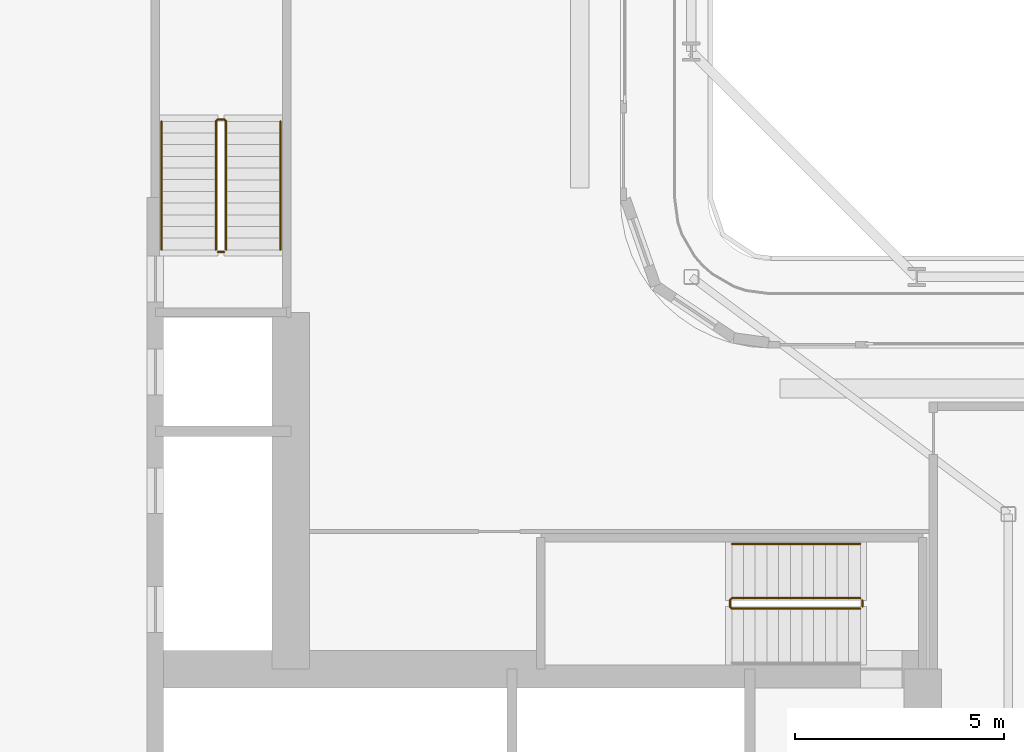
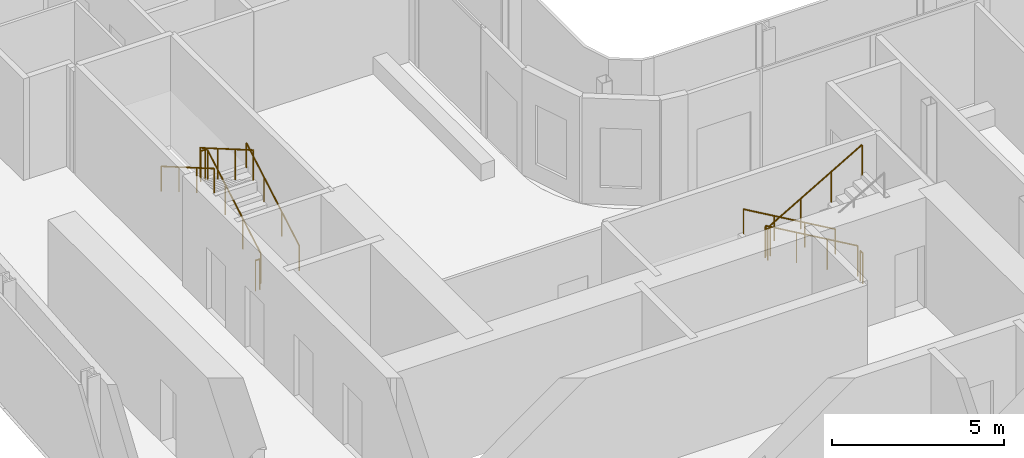
# One storey, part 24 of 29: 7 railings.
"""IFC4 building model written with IfcOpenShell, lengths in metres."""

from ifc_helpers import new_model, si_unit, direction, frame, origin, origin_2d, place, context, subcontext, project, spatial, circle, extrude, material, type_object, element, save


model = new_model("IFC4")

# Units and contexts
model_context = context("Model", 3, precision=1e-05, world=origin(), true_north=direction((0.0, 1.0)))
body_context = subcontext(model_context, "Body", "Model", "MODEL_VIEW")
ifc_project = project(units=[si_unit("LENGTHUNIT", "METRE"), si_unit("AREAUNIT", "SQUARE_METRE"), si_unit("VOLUMEUNIT", "CUBIC_METRE"), si_unit("PLANEANGLEUNIT", "RADIAN"), si_unit("MASSUNIT", "GRAM", prefix="KILO")], contexts=[model_context])

# Site, building, storey
site_placement = place(None, origin())
site = spatial("IfcSite", under=ifc_project, at=site_placement, CompositionType="ELEMENT")
building_placement = place(site_placement, origin())
building = spatial("IfcBuilding", under=site, at=building_placement, Name="Kheshtan School and Residences Tower", CompositionType="ELEMENT")
storey_placement = place(building_placement, frame((0.0, 0.0, 117.5)))
storey = spatial("IfcBuildingStorey", under=building, at=storey_placement, Name="L27", CompositionType="ELEMENT", Elevation=117.5)

# Railings
ifc_material_1 = material(Name="Stainless steel balustrade", Category="steel")
railing_type_1 = type_object("IfcRailingType", Name="Stair guard 1100", PredefinedType="GUARDRAIL", material=ifc_material_1)
railing_1_placement = place(storey_placement, frame((51.64990234375, 37.89990234375, 0.16259765625)))
element("IfcRailing", 1, at=railing_1_placement, inside=storey, type_object=railing_type_1, Name="L27 ST1 stair guard 1", PredefinedType="GUARDRAIL", context=body_context, shape_type="SweptSolid", body=[
    extrude(circle(Radius=0.02392578125, at=origin_2d()), frame((0.0, 0.0, 1.076171875), z_axis=(-0.864903211148, 0.0, 0.501938676878), x_axis=(0.0, -1.0, 0.0)), (0.0, 0.0, 1.0), 3.560791015625),
    extrude(circle(Radius=0.02392578125, at=origin_2d()), frame((-3.079833984375, 0.0, 2.86328125), z_axis=(-0.708833529934, -0.705375805398, 0.0), x_axis=(0.705375805398, -0.708833529934, 0.0)), (0.0, 0.0, 1.0), 0.070556640625),
    extrude(circle(Radius=0.02392578125, at=origin_2d()), frame((-3.1298828125, -0.0498046875, 2.86328125), z_axis=(0.0, -1.0, 0.0), x_axis=(1.0, 0.0, 0.0)), (0.0, 0.0, 1.0), 0.150146484375),
    extrude(circle(Radius=0.02392578125, at=origin_2d()), frame((-3.1298828125, -0.199951171875, 2.86328125), z_axis=(0.282227285176, -0.282227285176, 0.916894497205), x_axis=(0.707106781187, 0.707106781187, 0.0)), (0.0, 0.0, 1.0), 0.17724609375),
    extrude(circle(Radius=0.02392578125, at=origin_2d()), frame((-3.079833984375, -0.25, 3.02587890625), z_axis=(0.864903211148, 0.0, 0.501938676878), x_axis=(0.0, 1.0, 0.0)), (0.0, 0.0, 1.0), 3.560791015625),
    extrude(circle(Radius=0.02099609375, at=origin_2d()), origin(), (0.0, 0.0, 1.0), 1.052001953125),
    extrude(circle(Radius=0.02099609375, at=origin_2d()), frame((-1.026611328125, 0.0, 0.595703125)), (0.0, 0.0, 1.0), 1.052001953125),
    extrude(circle(Radius=0.02099609375, at=origin_2d()), frame((-2.05322265625, 0.0, 1.191650390625)), (0.0, 0.0, 1.0), 1.052001953125),
    extrude(circle(Radius=0.02099609375, at=origin_2d()), frame((-3.079833984375, 0.0, 1.787353515625)), (0.0, 0.0, 1.0), 1.052001953125),
    extrude(circle(Radius=0.02099609375, at=origin_2d()), frame((-3.1298828125, -0.0498046875, 1.787353515625)), (0.0, 0.0, 1.0), 1.052001953125),
    extrude(circle(Radius=0.02099609375, at=origin_2d()), frame((-3.1298828125, -0.199951171875, 1.787353515625)), (0.0, 0.0, 1.0), 1.052001953125),
    extrude(circle(Radius=0.02099609375, at=origin_2d()), frame((-3.079833984375, -0.25, 1.949951171875)), (0.0, 0.0, 1.0), 1.052001953125),
    extrude(circle(Radius=0.02099609375, at=origin_2d()), frame((-2.05322265625, -0.25, 2.545654296875)), (0.0, 0.0, 1.0), 1.052001953125),
    extrude(circle(Radius=0.02099609375, at=origin_2d()), frame((-1.026611328125, -0.25, 3.1416015625)), (0.0, 0.0, 1.0), 1.052001953125),
    extrude(circle(Radius=0.02099609375, at=origin_2d()), frame((0.0, -0.25, 3.7373046875)), (0.0, 0.0, 1.0), 1.052001953125),
])
railing_2_placement = place(storey_placement, frame((51.699951171875, 37.85009765625, 0.0)))
element("IfcRailing", 2, at=railing_2_placement, inside=storey, type_object=railing_type_1, Name="L27 ST1 stair guard 2", PredefinedType="GUARDRAIL", context=body_context, shape_type="SweptSolid", body=[
    extrude(circle(Radius=0.02392578125, at=origin_2d()), frame((0.0, 0.0, 1.076171875), z_axis=(0.0, -1.0, 0.0), x_axis=(1.0, 0.0, 0.0)), (0.0, 0.0, 1.0), 0.150146484375),
    extrude(circle(Radius=0.02099609375, at=origin_2d()), origin(), (0.0, 0.0, 1.0), 1.052001953125),
    extrude(circle(Radius=0.02099609375, at=origin_2d()), frame((0.0, -0.150146484375, 0.0)), (0.0, 0.0, 1.0), 1.052001953125),
])
railing_3_placement = place(storey_placement, frame((36.449951171875, 46.25, 0.16259765625)))
element("IfcRailing", 3, at=railing_3_placement, inside=storey, type_object=railing_type_1, Name="L27 ST2 stair guard 1", PredefinedType="GUARDRAIL", context=body_context, shape_type="SweptSolid", body=[
    extrude(circle(Radius=0.02392578125, at=origin_2d()), frame((0.0, 0.0, 1.076171875), z_axis=(0.0, 0.864920483161, 0.501908913857), x_axis=(-1.0, 0.0, 0.0)), (0.0, 0.0, 1.0), 3.56103515625),
    extrude(circle(Radius=0.02392578125, at=origin_2d()), frame((0.0, 3.080078125, 2.86328125), z_axis=(-0.708833529934, 0.705375805398, 0.0), x_axis=(-0.705375805398, -0.708833529934, 0.0)), (0.0, 0.0, 1.0), 0.070556640625),
    extrude(circle(Radius=0.02392578125, at=origin_2d()), frame((-0.050048828125, 3.1298828125, 2.86328125), z_axis=(-1.0, 0.0, 0.0), x_axis=(0.0, -1.0, 0.0)), (0.0, 0.0, 1.0), 0.14990234375),
    extrude(circle(Radius=0.02392578125, at=origin_2d()), frame((-0.199951171875, 3.1298828125, 2.86328125), z_axis=(-0.282336740067, -0.280959487676, 0.917250092119), x_axis=(0.705375805398, -0.708833529934, 0.0)), (0.0, 0.0, 1.0), 0.17724609375),
    extrude(circle(Radius=0.02392578125, at=origin_2d()), frame((-0.25, 3.080078125, 3.02587890625), z_axis=(0.0, -0.864920483161, 0.501908913857), x_axis=(1.0, 0.0, 0.0)), (0.0, 0.0, 1.0), 3.56103515625),
    extrude(circle(Radius=0.02099609375, at=origin_2d()), origin(), (0.0, 0.0, 1.0), 1.052001953125),
    extrude(circle(Radius=0.02099609375, at=origin_2d()), frame((0.0, 1.026611328125, 0.595703125)), (0.0, 0.0, 1.0), 1.052001953125),
    extrude(circle(Radius=0.02099609375, at=origin_2d()), frame((0.0, 2.053466796875, 1.191650390625)), (0.0, 0.0, 1.0), 1.052001953125),
    extrude(circle(Radius=0.02099609375, at=origin_2d()), frame((0.0, 3.080078125, 1.787353515625)), (0.0, 0.0, 1.0), 1.052001953125),
    extrude(circle(Radius=0.02099609375, at=origin_2d()), frame((-0.050048828125, 3.1298828125, 1.787353515625)), (0.0, 0.0, 1.0), 1.052001953125),
    extrude(circle(Radius=0.02099609375, at=origin_2d()), frame((-0.199951171875, 3.1298828125, 1.787353515625)), (0.0, 0.0, 1.0), 1.052001953125),
    extrude(circle(Radius=0.02099609375, at=origin_2d()), frame((-0.25, 3.080078125, 1.949951171875)), (0.0, 0.0, 1.0), 1.052001953125),
    extrude(circle(Radius=0.02099609375, at=origin_2d()), frame((-0.25, 2.053466796875, 2.545654296875)), (0.0, 0.0, 1.0), 1.052001953125),
    extrude(circle(Radius=0.02099609375, at=origin_2d()), frame((-0.25, 1.026611328125, 3.1416015625)), (0.0, 0.0, 1.0), 1.052001953125),
    extrude(circle(Radius=0.02099609375, at=origin_2d()), frame((-0.25, 0.0, 3.7373046875)), (0.0, 0.0, 1.0), 1.052001953125),
])
railing_4_placement = place(storey_placement, frame((36.39990234375, 46.199951171875, 0.0)))
element("IfcRailing", 4, at=railing_4_placement, inside=storey, type_object=railing_type_1, Name="L27 ST2 stair guard 2", PredefinedType="GUARDRAIL", context=body_context, shape_type="SweptSolid", body=[
    extrude(circle(Radius=0.02392578125, at=origin_2d()), frame((0.0, 0.0, 1.076171875), z_axis=(-1.0, 0.0, 0.0), x_axis=(0.0, -1.0, 0.0)), (0.0, 0.0, 1.0), 0.14990234375),
    extrude(circle(Radius=0.02099609375, at=origin_2d()), origin(), (0.0, 0.0, 1.0), 1.052001953125),
    extrude(circle(Radius=0.02099609375, at=origin_2d()), frame((-0.14990234375, 0.0, 0.0)), (0.0, 0.0, 1.0), 1.052001953125),
])
ifc_material_2 = material(Name="Stainless steel handrail", Category="steel")
railing_type_2 = type_object("IfcRailingType", Name="Stair handrail 900", PredefinedType="HANDRAIL", material=ifc_material_2)
railing_5_placement = place(storey_placement, frame((51.64990234375, 39.199951171875, 0.16259765625)))
element("IfcRailing", 5, at=railing_5_placement, inside=storey, type_object=railing_type_2, Name="L27 ST1 stair handrail 1", PredefinedType="HANDRAIL", context=body_context, shape_type="SweptSolid", body=[
    extrude(circle(Radius=0.02392578125, at=origin_2d()), frame((0.0, 0.0, 0.8759765625), z_axis=(-0.864903211148, 0.0, 0.501938676878), x_axis=(0.0, -1.0, 0.0)), (0.0, 0.0, 1.0), 3.560791015625),
    extrude(circle(Radius=0.02099609375, at=origin_2d()), origin(), (0.0, 0.0, 1.0), 0.851806640625),
    extrude(circle(Radius=0.02099609375, at=origin_2d()), frame((-1.026611328125, 0.0, 0.595703125)), (0.0, 0.0, 1.0), 0.851806640625),
    extrude(circle(Radius=0.02099609375, at=origin_2d()), frame((-2.05322265625, 0.0, 1.191650390625)), (0.0, 0.0, 1.0), 0.851806640625),
    extrude(circle(Radius=0.02099609375, at=origin_2d()), frame((-3.079833984375, 0.0, 1.787353515625)), (0.0, 0.0, 1.0), 0.851806640625),
])
railing_6_placement = place(storey_placement, frame((37.75, 46.25, 0.16259765625)))
element("IfcRailing", 6, at=railing_6_placement, inside=storey, type_object=railing_type_2, Name="L27 ST2 stair handrail 1", PredefinedType="HANDRAIL", context=body_context, shape_type="SweptSolid", body=[
    extrude(circle(Radius=0.02392578125, at=origin_2d()), frame((0.0, 0.0, 0.8759765625), z_axis=(0.0, 0.864920483161, 0.501908913857), x_axis=(-1.0, 0.0, 0.0)), (0.0, 0.0, 1.0), 3.56103515625),
    extrude(circle(Radius=0.02099609375, at=origin_2d()), origin(), (0.0, 0.0, 1.0), 0.851806640625),
    extrude(circle(Radius=0.02099609375, at=origin_2d()), frame((0.0, 1.026611328125, 0.595703125)), (0.0, 0.0, 1.0), 0.851806640625),
    extrude(circle(Radius=0.02099609375, at=origin_2d()), frame((0.0, 2.053466796875, 1.191650390625)), (0.0, 0.0, 1.0), 0.851806640625),
    extrude(circle(Radius=0.02099609375, at=origin_2d()), frame((0.0, 3.080078125, 1.787353515625)), (0.0, 0.0, 1.0), 0.851806640625),
])
railing_7_placement = place(storey_placement, frame((34.89990234375, 49.330078125, 2.112548828125)))
element("IfcRailing", 7, at=railing_7_placement, inside=storey, type_object=railing_type_2, Name="L27 ST2 stair handrail 2", PredefinedType="HANDRAIL", context=body_context, shape_type="SweptSolid", body=[
    extrude(circle(Radius=0.02392578125, at=origin_2d()), frame((0.0, 0.0, 0.8759765625), z_axis=(0.0, -0.864920483161, 0.501908913857), x_axis=(1.0, 0.0, 0.0)), (0.0, 0.0, 1.0), 3.56103515625),
    extrude(circle(Radius=0.02099609375, at=origin_2d()), origin(), (0.0, 0.0, 1.0), 0.851806640625),
    extrude(circle(Radius=0.02099609375, at=origin_2d()), frame((0.0, -1.026611328125, 0.595703125)), (0.0, 0.0, 1.0), 0.851806640625),
    extrude(circle(Radius=0.02099609375, at=origin_2d()), frame((0.0, -2.053466796875, 1.191650390625)), (0.0, 0.0, 1.0), 0.851806640625),
    extrude(circle(Radius=0.02099609375, at=origin_2d()), frame((0.0, -3.080078125, 1.787353515625)), (0.0, 0.0, 1.0), 0.851806640625),
])

save(model, "model.ifc")
